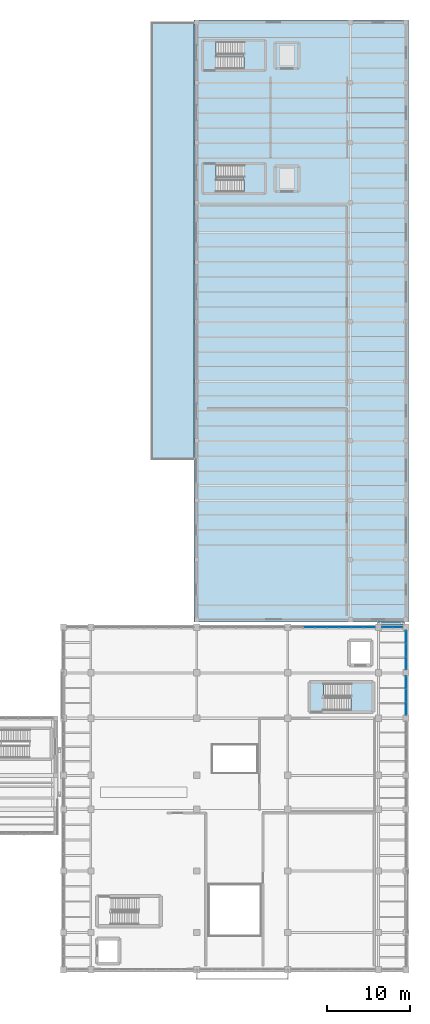
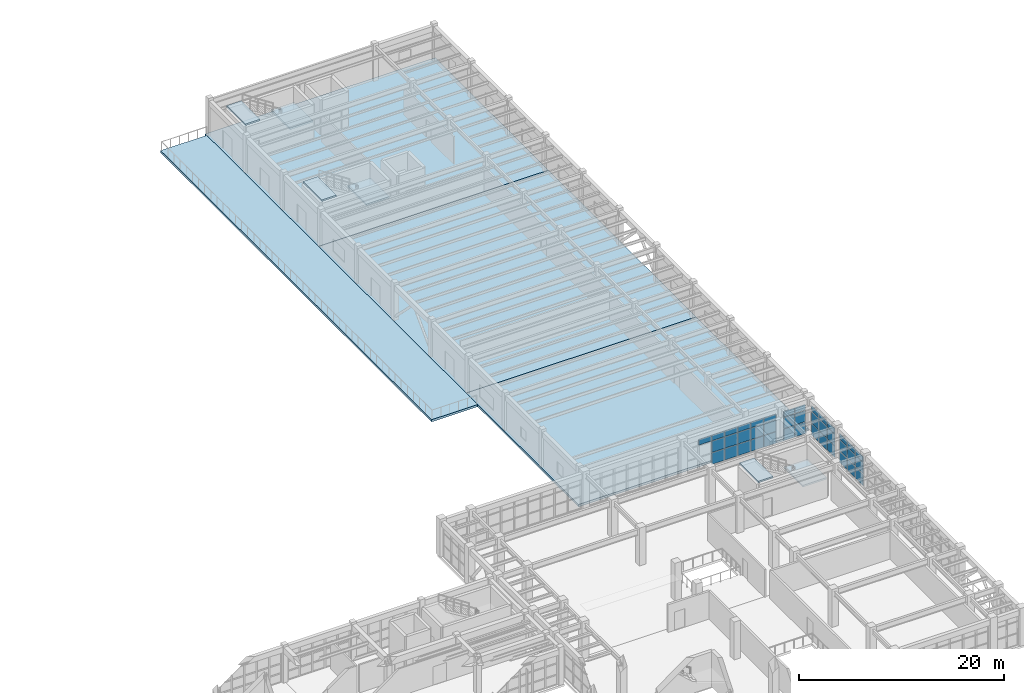
# One storey, part 62 of 85: 40 plates, 11 slabs, 7 elements without a shape of their own.
"""IFC4 building model written with IfcOpenShell, lengths in metres."""

import ifcopenshell
import ifcopenshell.guid

model = None  # the IFC model being written
_history = None  # IfcOwnerHistory: only IFC2X3 demands one
_inside = {}  # id of a spatial element -> (the spatial element, [elements in it])
_under = {}  # id of a project, library or spatial element -> (it, [spatial elements below it])
_declared = {}  # id of a project -> (the project, [libraries it declares])
_typed = {}  # id of a type object -> (the type object, [elements of that type])
_made_of = {}  # id of a material, layer set ... -> (it, [elements and type objects made of it])


def new_model(schema):
    """Start an empty IFC model of exactly this schema.

    Asked for "IFC4X3", IfcOpenShell would pick the latest addendum, in which some entities
    have other attributes; the version numbers below select the first issue.
    IFC2X3 requires an IfcOwnerHistory on every rooted entity: one is made here for all.
    """
    global model, _history
    if schema == "IFC4X3":
        model = ifcopenshell.file(schema_version=(4, 3, 0, 0))
    else:
        model = ifcopenshell.file(schema=schema)
    _inside.clear()
    _under.clear()
    _declared.clear()
    _typed.clear()
    _made_of.clear()
    _history = None
    if model.schema == "IFC2X3":
        org = make("IfcOrganization", Name="unknown")
        user = make(
            "IfcPersonAndOrganization",
            ThePerson=make("IfcPerson", FamilyName="unknown"),
            TheOrganization=org,
        )
        app = make(
            "IfcApplication",
            ApplicationDeveloper=org,
            Version="unknown",
            ApplicationFullName="unknown",
            ApplicationIdentifier="unknown",
        )
        _history = make(
            "IfcOwnerHistory",
            OwningUser=user,
            OwningApplication=app,
            ChangeAction="ADDED",
            CreationDate=0,
        )
    return model


def make(cls, **values):
    """One entity of the class cls with the attributes given. An attribute that is None is left unset."""
    return model.create_entity(
        cls, **{name: value for name, value in values.items() if value is not None}
    )


def rooted(cls, **values):
    """An entity with a GlobalId (a new one), such as an element, a storey or a relation."""
    return make(cls, GlobalId=ifcopenshell.guid.new(), OwnerHistory=_history, **values)


def si_unit(unit_type, name, prefix=None):
    """IfcSIUnit, for example si_unit("LENGTHUNIT", "METRE", prefix="MILLI")."""
    return make("IfcSIUnit", UnitType=unit_type, Prefix=prefix, Name=name)


def assignment(units):
    """IfcUnitAssignment: the units of a project."""
    return None if units is None else make("IfcUnitAssignment", Units=units)


def point(xyz):
    """IfcCartesianPoint."""
    return None if xyz is None else make("IfcCartesianPoint", Coordinates=xyz)


def direction(xyz):
    """IfcDirection."""
    return None if xyz is None else make("IfcDirection", DirectionRatios=xyz)


def frame(location, z_axis=None, x_axis=None):
    """IfcAxis2Placement3D, a coordinate frame: its origin and axes. An axis left out is left unset."""
    return make(
        "IfcAxis2Placement3D",
        Location=point(location),
        Axis=direction(z_axis),
        RefDirection=direction(x_axis),
    )


def frame_2d(location, x_axis=None):
    """IfcAxis2Placement2D, a coordinate frame in the plane: its origin and x axis."""
    return make(
        "IfcAxis2Placement2D", Location=point(location), RefDirection=direction(x_axis)
    )


def origin():
    """The frame at (0, 0, 0) with its axes left unset."""
    return frame((0.0, 0.0, 0.0))


def origin_2d():
    """The frame at (0, 0) in the plane with its x axis left unset."""
    return frame_2d((0.0, 0.0))


def place(relative_to, where):
    """IfcLocalPlacement: puts the frame where relative to a parent placement (None: the world)."""
    return make(
        "IfcLocalPlacement", PlacementRelTo=relative_to, RelativePlacement=where
    )


def context(
    kind, dimensions, precision=None, world=None, true_north=None, identifier=None
):
    """IfcGeometricRepresentationContext, for example the 3D "Model" context."""
    return make(
        "IfcGeometricRepresentationContext",
        ContextIdentifier=identifier,
        ContextType=kind,
        CoordinateSpaceDimension=dimensions,
        Precision=precision,
        WorldCoordinateSystem=world,
        TrueNorth=true_north,
    )


def subcontext(parent, identifier, kind, view, scale=None):
    """IfcGeometricRepresentationSubContext, for example "Body" below "Model"."""
    return make(
        "IfcGeometricRepresentationSubContext",
        ContextIdentifier=identifier,
        ContextType=kind,
        ParentContext=parent,
        TargetScale=scale,
        TargetView=view,
    )


def project(units=None, contexts=None):
    """IfcProject with its units and contexts."""
    return rooted(
        "IfcProject",
        Name="project",
        RepresentationContexts=contexts,
        UnitsInContext=assignment(units),
    )


def spatial(cls, under=None, at=None, **own):
    """A site, building, storey or space (cls), placed at a placement, below another one or the project."""
    s = rooted(cls, ObjectPlacement=at, **own)
    if under is not None:
        _under.setdefault(under.id(), (under, []))[1].append(s)
    return s


def polyline(points):
    """IfcPolyline through the points."""
    return make("IfcPolyline", Points=[point(p) for p in points])


def profile(cls, at=None, kind="AREA", **sizes):
    """A parametric profile (cls). Its sizes go by their IFC names, for example OverallWidth=200.0."""
    return make(cls, ProfileType=kind, Position=at, **sizes)


def rectangle(**sizes):
    """IfcRectangleProfileDef."""
    return profile("IfcRectangleProfileDef", **sizes)


def outline(outer, holes=None, kind="AREA"):
    """IfcArbitraryClosedProfileDef: a profile drawn as a closed curve; with holes, ...WithVoids."""
    if holes is None:
        return make("IfcArbitraryClosedProfileDef", ProfileType=kind, OuterCurve=outer)
    return make(
        "IfcArbitraryProfileDefWithVoids",
        ProfileType=kind,
        OuterCurve=outer,
        InnerCurves=holes,
    )


def extrude(swept, where, along, depth):
    """IfcExtrudedAreaSolid: the profile swept, set in the frame where, extruded along a direction by depth."""
    return make(
        "IfcExtrudedAreaSolid",
        SweptArea=swept,
        Position=where,
        ExtrudedDirection=direction(along),
        Depth=depth,
    )


def shape(context_of_items, identifier, shape_type, items):
    """IfcShapeRepresentation: the items that make up one representation, for example the "Body"."""
    return make(
        "IfcShapeRepresentation",
        ContextOfItems=context_of_items,
        RepresentationIdentifier=identifier,
        RepresentationType=shape_type,
        Items=items,
    )


def material(Name=None, Category=None):
    """IfcMaterial."""
    return make("IfcMaterial", Name=Name, Category=Category)


def layer(
    of_material, thickness, ventilated=None, Name=None, Category=None, Priority=None
):
    """IfcMaterialLayer: one layer of a wall or slab, of a material (None: an air gap)."""
    return make(
        "IfcMaterialLayer",
        Material=of_material,
        LayerThickness=thickness,
        IsVentilated=ventilated,
        Name=Name,
        Category=Category,
        Priority=Priority,
    )


def layer_set(layers, Name=None):
    """IfcMaterialLayerSet."""
    return make("IfcMaterialLayerSet", MaterialLayers=layers, LayerSetName=Name)


def made_of(thing, what):
    """Note that an element or type object is made of a material, layer set ...; save() writes the relation."""
    if what is not None:
        _made_of.setdefault(what.id(), (what, []))[1].append(thing)
    return thing


def type_object(cls, material=None, **own):
    """A type object (cls), such as IfcWallType, which elements share."""
    return made_of(rooted(cls, **own), material)


def element(
    cls,
    number,
    at=None,
    inside=None,
    cuts=None,
    type_object=None,
    material=None,
    context=None,
    identifier="Body",
    shape_type=None,
    held_by="IfcProductDefinitionShape",
    body=None,
    shapes=None,
    **own,
):
    """One element of the class cls, such as IfcWall. Its Tag is "e" and its number.

    at: its placement. inside: the storey or other place that contains it. cuts: it is an
    opening in that element (IfcRelVoidsElement). A single representation is given by context,
    identifier, shape_type and body (its items); several are given by shapes. held_by: the class
    of the entity that holds the representations. save() writes the other relations.
    """
    e = rooted(cls, Tag="e%d" % number, ObjectPlacement=at, **own)
    if body is not None:
        shapes = [shape(context, identifier, shape_type, body)]
    if shapes is not None:
        e.Representation = make(held_by, Representations=shapes)
    if inside is not None:
        _inside.setdefault(inside.id(), (inside, []))[1].append(e)
    if cuts is not None:
        rooted(
            "IfcRelVoidsElement", RelatingBuildingElement=cuts, RelatedOpeningElement=e
        )
    if type_object is not None:
        _typed.setdefault(type_object.id(), (type_object, []))[1].append(e)
    return made_of(e, material)


def aggregate(whole, parts):
    """IfcRelAggregates: a whole, such as a stair, and the parts it consists of."""
    return rooted("IfcRelAggregates", RelatingObject=whole, RelatedObjects=parts)


def save(model, path):
    """Write the relations noted so far, then the file.

    IfcRelAggregates (storeys below a building ...), IfcRelContainedInSpatialStructure (elements
    in a storey), IfcRelDefinesByType, IfcRelAssociatesMaterial and IfcRelDeclares: one each for
    every whole, place, type object, material and project.
    """
    for whole, parts in _under.values():
        aggregate(whole, parts)
    for where, things in _inside.values():
        rooted(
            "IfcRelContainedInSpatialStructure",
            RelatedElements=things,
            RelatingStructure=where,
        )
    for kind, things in _typed.values():
        rooted("IfcRelDefinesByType", RelatedObjects=things, RelatingType=kind)
    for what, things in _made_of.values():
        rooted("IfcRelAssociatesMaterial", RelatedObjects=things, RelatingMaterial=what)
    for by, libraries in _declared.values():
        rooted("IfcRelDeclares", RelatingContext=by, RelatedDefinitions=libraries)
    model.write(path)


model = new_model("IFC4")

# Units and contexts
model_context = context("Model", 3, precision=1e-05, world=origin(), true_north=direction((0.0, 1.0)))
body_context = subcontext(model_context, "Body", "Model", "MODEL_VIEW")
ifc_project = project(units=[si_unit("LENGTHUNIT", "METRE"), si_unit("AREAUNIT", "SQUARE_METRE"), si_unit("VOLUMEUNIT", "CUBIC_METRE"), si_unit("PLANEANGLEUNIT", "RADIAN"), si_unit("MASSUNIT", "GRAM", prefix="KILO")], contexts=[model_context])

# Site, building, storey
site_placement = place(None, origin())
site = spatial("IfcSite", under=ifc_project, at=site_placement, CompositionType="ELEMENT")
building_placement = place(site_placement, origin())
building = spatial("IfcBuilding", under=site, at=building_placement, Name="Candilejo Ridge Gondola Terminal", CompositionType="ELEMENT")
storey_placement = place(building_placement, frame((0.0, 0.0, 4.5)))
storey = spatial("IfcBuildingStorey", under=building, at=storey_placement, Name="L01", CompositionType="ELEMENT", Elevation=4.5)

# Curtain wall, plates
ifc_material_1 = material(Name="Anodised aluminium AA 6063-T6", Category="aluminium")
ifc_layer_1 = layer(ifc_material_1, 0.169921875)
ifc_layer_set_1 = layer_set([ifc_layer_1], Name="ARC-CW-HALL-3800-475X359")
curtain_wall_type_1 = type_object("IfcCurtainWallType", Name="ARC-CW-HALL-3800-475X359", PredefinedType="NOTDEFINED", material=ifc_layer_set_1)
curtain_wall_1_placement = place(storey_placement, origin())
curtain_wall_1 = element("IfcCurtainWall", 1, at=curtain_wall_1_placement, inside=storey, type_object=curtain_wall_type_1, Name="Curtain wall V4 L01-119", PredefinedType="NOTDEFINED")
ifc_material_2 = material(Name="Low-E laminated double glazing 6+12A+6+1.52PVB+6 mm", Category="glass")
ifc_layer_2 = layer(ifc_material_2, 0.028076171875)
ifc_layer_set_2 = layer_set([ifc_layer_2], Name="ARC-CW-GLAZ-PANEL")
plate_type = type_object("IfcPlateType", Name="ARC-CW-GLAZ-PANEL", PredefinedType="CURTAIN_PANEL", material=ifc_layer_set_2)
plate_1_placement = place(storey_placement, frame((175.300048828125, 37.8828125, 0.06005859375), z_axis=(0.0, 0.0, 1.0), x_axis=(0.0, 1.0, 0.0)))
plate_1 = element("IfcPlate", 2, at=plate_1_placement, type_object=plate_type, Name="CW-47X35 panel 1.1", PredefinedType="CURTAIN_PANEL", context=body_context, shape_type="SweptSolid", body=[
    extrude(rectangle(XDim=1.48583984375, YDim=0.028076171875, at=origin_2d()), origin(), (0.0, 0.0, 1.0), 1.360107421875),
])
plate_2_placement = place(storey_placement, frame((175.300048828125, 37.8828125, 1.47998046875), z_axis=(0.0, 0.0, 1.0), x_axis=(0.0, 1.0, 0.0)))
plate_2 = element("IfcPlate", 3, at=plate_2_placement, type_object=plate_type, Name="CW-47X35 panel 1.2", PredefinedType="CURTAIN_PANEL", context=body_context, shape_type="SweptSolid", body=[
    extrude(rectangle(XDim=1.48583984375, YDim=0.028076171875, at=origin_2d()), origin(), (0.0, 0.0, 1.0), 1.340087890625),
])
plate_3_placement = place(storey_placement, frame((175.300048828125, 37.8828125, 2.880126953125), z_axis=(0.0, 0.0, 1.0), x_axis=(0.0, 1.0, 0.0)))
plate_3 = element("IfcPlate", 4, at=plate_3_placement, type_object=plate_type, Name="CW-47X35 panel 1.3", PredefinedType="CURTAIN_PANEL", context=body_context, shape_type="SweptSolid", body=[
    extrude(rectangle(XDim=1.48583984375, YDim=0.028076171875, at=origin_2d()), origin(), (0.0, 0.0, 1.0), 0.64990234375),
])
plate_4_placement = place(storey_placement, frame((175.300048828125, 39.449951171875, 0.06005859375), z_axis=(0.0, 0.0, 1.0), x_axis=(0.0, 1.0, 0.0)))
plate_4 = element("IfcPlate", 5, at=plate_4_placement, type_object=plate_type, Name="CW-47X35 panel 2.1", PredefinedType="CURTAIN_PANEL", context=body_context, shape_type="SweptSolid", body=[
    extrude(rectangle(XDim=1.518310546875, YDim=0.028076171875, at=origin_2d()), origin(), (0.0, 0.0, 1.0), 1.360107421875),
])
plate_5_placement = place(storey_placement, frame((175.300048828125, 39.449951171875, 1.47998046875), z_axis=(0.0, 0.0, 1.0), x_axis=(0.0, 1.0, 0.0)))
plate_5 = element("IfcPlate", 6, at=plate_5_placement, type_object=plate_type, Name="CW-47X35 panel 2.2", PredefinedType="CURTAIN_PANEL", context=body_context, shape_type="SweptSolid", body=[
    extrude(rectangle(XDim=1.518310546875, YDim=0.028076171875, at=origin_2d()), origin(), (0.0, 0.0, 1.0), 1.340087890625),
])
plate_6_placement = place(storey_placement, frame((175.300048828125, 39.449951171875, 2.880126953125), z_axis=(0.0, 0.0, 1.0), x_axis=(0.0, 1.0, 0.0)))
plate_6 = element("IfcPlate", 7, at=plate_6_placement, type_object=plate_type, Name="CW-47X35 panel 2.3", PredefinedType="CURTAIN_PANEL", context=body_context, shape_type="SweptSolid", body=[
    extrude(rectangle(XDim=1.518310546875, YDim=0.028076171875, at=origin_2d()), origin(), (0.0, 0.0, 1.0), 0.64990234375),
])
plate_7_placement = place(storey_placement, frame((175.300048828125, 41.01708984375, 0.06005859375), z_axis=(0.0, 0.0, 1.0), x_axis=(0.0, 1.0, 0.0)))
plate_7 = element("IfcPlate", 8, at=plate_7_placement, type_object=plate_type, Name="CW-47X35 panel 3.1", PredefinedType="CURTAIN_PANEL", context=body_context, shape_type="SweptSolid", body=[
    extrude(rectangle(XDim=1.48583984375, YDim=0.028076171875, at=origin_2d()), origin(), (0.0, 0.0, 1.0), 1.360107421875),
])
plate_8_placement = place(storey_placement, frame((175.300048828125, 41.01708984375, 1.47998046875), z_axis=(0.0, 0.0, 1.0), x_axis=(0.0, 1.0, 0.0)))
plate_8 = element("IfcPlate", 9, at=plate_8_placement, type_object=plate_type, Name="CW-47X35 panel 3.2", PredefinedType="CURTAIN_PANEL", context=body_context, shape_type="SweptSolid", body=[
    extrude(rectangle(XDim=1.48583984375, YDim=0.028076171875, at=origin_2d()), origin(), (0.0, 0.0, 1.0), 1.340087890625),
])
plate_9_placement = place(storey_placement, frame((175.300048828125, 41.01708984375, 2.880126953125), z_axis=(0.0, 0.0, 1.0), x_axis=(0.0, 1.0, 0.0)))
plate_9 = element("IfcPlate", 10, at=plate_9_placement, type_object=plate_type, Name="CW-47X35 panel 3.3", PredefinedType="CURTAIN_PANEL", context=body_context, shape_type="SweptSolid", body=[
    extrude(rectangle(XDim=1.48583984375, YDim=0.028076171875, at=origin_2d()), origin(), (0.0, 0.0, 1.0), 0.64990234375),
])
aggregate(curtain_wall_1, [plate_1, plate_2, plate_3, plate_4, plate_5, plate_6, plate_7, plate_8, plate_9])

curtain_wall_2_placement = place(storey_placement, origin())
curtain_wall_2 = element("IfcCurtainWall", 11, at=curtain_wall_2_placement, inside=storey, type_object=curtain_wall_type_1, Name="Curtain wall V4 L01-121", PredefinedType="NOTDEFINED")
plate_10_placement = place(storey_placement, frame((175.300048828125, 43.3828125, 0.06005859375), z_axis=(0.0, 0.0, 1.0), x_axis=(0.0, 1.0, 0.0)))
plate_10 = element("IfcPlate", 12, at=plate_10_placement, type_object=plate_type, Name="CW-47X35 panel 1.1", PredefinedType="CURTAIN_PANEL", context=body_context, shape_type="SweptSolid", body=[
    extrude(rectangle(XDim=1.48583984375, YDim=0.028076171875, at=origin_2d()), origin(), (0.0, 0.0, 1.0), 1.360107421875),
])
plate_11_placement = place(storey_placement, frame((175.300048828125, 43.3828125, 1.47998046875), z_axis=(0.0, 0.0, 1.0), x_axis=(0.0, 1.0, 0.0)))
plate_11 = element("IfcPlate", 13, at=plate_11_placement, type_object=plate_type, Name="CW-47X35 panel 1.2", PredefinedType="CURTAIN_PANEL", context=body_context, shape_type="SweptSolid", body=[
    extrude(rectangle(XDim=1.48583984375, YDim=0.028076171875, at=origin_2d()), origin(), (0.0, 0.0, 1.0), 1.340087890625),
])
plate_12_placement = place(storey_placement, frame((175.300048828125, 43.3828125, 2.880126953125), z_axis=(0.0, 0.0, 1.0), x_axis=(0.0, 1.0, 0.0)))
plate_12 = element("IfcPlate", 14, at=plate_12_placement, type_object=plate_type, Name="CW-47X35 panel 1.3", PredefinedType="CURTAIN_PANEL", context=body_context, shape_type="SweptSolid", body=[
    extrude(rectangle(XDim=1.48583984375, YDim=0.028076171875, at=origin_2d()), origin(), (0.0, 0.0, 1.0), 0.64990234375),
])
plate_13_placement = place(storey_placement, frame((175.300048828125, 44.949951171875, 0.06005859375), z_axis=(0.0, 0.0, 1.0), x_axis=(0.0, 1.0, 0.0)))
plate_13 = element("IfcPlate", 15, at=plate_13_placement, type_object=plate_type, Name="CW-47X35 panel 2.1", PredefinedType="CURTAIN_PANEL", context=body_context, shape_type="SweptSolid", body=[
    extrude(rectangle(XDim=1.518310546875, YDim=0.028076171875, at=origin_2d()), origin(), (0.0, 0.0, 1.0), 1.360107421875),
])
plate_14_placement = place(storey_placement, frame((175.300048828125, 44.949951171875, 1.47998046875), z_axis=(0.0, 0.0, 1.0), x_axis=(0.0, 1.0, 0.0)))
plate_14 = element("IfcPlate", 16, at=plate_14_placement, type_object=plate_type, Name="CW-47X35 panel 2.2", PredefinedType="CURTAIN_PANEL", context=body_context, shape_type="SweptSolid", body=[
    extrude(rectangle(XDim=1.518310546875, YDim=0.028076171875, at=origin_2d()), origin(), (0.0, 0.0, 1.0), 1.340087890625),
])
plate_15_placement = place(storey_placement, frame((175.300048828125, 44.949951171875, 2.880126953125), z_axis=(0.0, 0.0, 1.0), x_axis=(0.0, 1.0, 0.0)))
plate_15 = element("IfcPlate", 17, at=plate_15_placement, type_object=plate_type, Name="CW-47X35 panel 2.3", PredefinedType="CURTAIN_PANEL", context=body_context, shape_type="SweptSolid", body=[
    extrude(rectangle(XDim=1.518310546875, YDim=0.028076171875, at=origin_2d()), origin(), (0.0, 0.0, 1.0), 0.64990234375),
])
plate_16_placement = place(storey_placement, frame((175.300048828125, 46.51708984375, 0.06005859375), z_axis=(0.0, 0.0, 1.0), x_axis=(0.0, 1.0, 0.0)))
plate_16 = element("IfcPlate", 18, at=plate_16_placement, type_object=plate_type, Name="CW-47X35 panel 3.1", PredefinedType="CURTAIN_PANEL", context=body_context, shape_type="SweptSolid", body=[
    extrude(rectangle(XDim=1.48583984375, YDim=0.028076171875, at=origin_2d()), origin(), (0.0, 0.0, 1.0), 1.360107421875),
])
plate_17_placement = place(storey_placement, frame((175.300048828125, 46.51708984375, 1.47998046875), z_axis=(0.0, 0.0, 1.0), x_axis=(0.0, 1.0, 0.0)))
plate_17 = element("IfcPlate", 19, at=plate_17_placement, type_object=plate_type, Name="CW-47X35 panel 3.2", PredefinedType="CURTAIN_PANEL", context=body_context, shape_type="SweptSolid", body=[
    extrude(rectangle(XDim=1.48583984375, YDim=0.028076171875, at=origin_2d()), origin(), (0.0, 0.0, 1.0), 1.340087890625),
])
plate_18_placement = place(storey_placement, frame((175.300048828125, 46.51708984375, 2.880126953125), z_axis=(0.0, 0.0, 1.0), x_axis=(0.0, 1.0, 0.0)))
plate_18 = element("IfcPlate", 20, at=plate_18_placement, type_object=plate_type, Name="CW-47X35 panel 3.3", PredefinedType="CURTAIN_PANEL", context=body_context, shape_type="SweptSolid", body=[
    extrude(rectangle(XDim=1.48583984375, YDim=0.028076171875, at=origin_2d()), origin(), (0.0, 0.0, 1.0), 0.64990234375),
])
aggregate(curtain_wall_2, [plate_10, plate_11, plate_12, plate_13, plate_14, plate_15, plate_16, plate_17, plate_18])

ifc_material_3 = material(Name="Anodised aluminium AA 6063-T6", Category="aluminium")
ifc_layer_3 = layer(ifc_material_3, 0.169921875)
ifc_layer_set_3 = layer_set([ifc_layer_3], Name="ARC-CW-HALL-3800-1025X359")
curtain_wall_type_2 = type_object("IfcCurtainWallType", Name="ARC-CW-HALL-3800-1025X359", PredefinedType="NOTDEFINED", material=ifc_layer_set_3)
curtain_wall_3_placement = place(storey_placement, origin())
curtain_wall_3 = element("IfcCurtainWall", 21, at=curtain_wall_3_placement, inside=storey, type_object=curtain_wall_type_2, Name="Curtain wall V4 L01-129", PredefinedType="NOTDEFINED")
plate_19_placement = place(storey_placement, frame((163.571533203125, 47.699951171875, 2.880126953125), z_axis=(0.0, 0.0, 1.0), x_axis=(1.0, 0.0, 0.0)))
plate_19 = element("IfcPlate", 22, at=plate_19_placement, type_object=plate_type, Name="CW-102X35 panel 2.3", PredefinedType="CURTAIN_PANEL", context=body_context, shape_type="SweptSolid", body=[
    extrude(rectangle(XDim=1.399169921875, YDim=0.028076171875, at=origin_2d()), origin(), (0.0, 0.0, 1.0), 0.64990234375),
])
plate_20_placement = place(storey_placement, frame((165.03564453125, 47.699951171875, 0.06005859375), z_axis=(0.0, 0.0, 1.0), x_axis=(1.0, 0.0, 0.0)))
plate_20 = element("IfcPlate", 23, at=plate_20_placement, type_object=plate_type, Name="CW-102X35 panel 3.1", PredefinedType="CURTAIN_PANEL", context=body_context, shape_type="SweptSolid", body=[
    extrude(rectangle(XDim=1.399169921875, YDim=0.028076171875, at=origin_2d()), origin(), (0.0, 0.0, 1.0), 1.360107421875),
])
plate_21_placement = place(storey_placement, frame((165.03564453125, 47.699951171875, 1.47998046875), z_axis=(0.0, 0.0, 1.0), x_axis=(1.0, 0.0, 0.0)))
plate_21 = element("IfcPlate", 24, at=plate_21_placement, type_object=plate_type, Name="CW-102X35 panel 3.2", PredefinedType="CURTAIN_PANEL", context=body_context, shape_type="SweptSolid", body=[
    extrude(rectangle(XDim=1.399169921875, YDim=0.028076171875, at=origin_2d()), origin(), (0.0, 0.0, 1.0), 1.340087890625),
])
plate_22_placement = place(storey_placement, frame((165.03564453125, 47.699951171875, 2.880126953125), z_axis=(0.0, 0.0, 1.0), x_axis=(1.0, 0.0, 0.0)))
plate_22 = element("IfcPlate", 25, at=plate_22_placement, type_object=plate_type, Name="CW-102X35 panel 3.3", PredefinedType="CURTAIN_PANEL", context=body_context, shape_type="SweptSolid", body=[
    extrude(rectangle(XDim=1.399169921875, YDim=0.028076171875, at=origin_2d()), origin(), (0.0, 0.0, 1.0), 0.64990234375),
])
plate_23_placement = place(storey_placement, frame((166.5, 47.699951171875, 0.06005859375), z_axis=(0.0, 0.0, 1.0), x_axis=(1.0, 0.0, 0.0)))
plate_23 = element("IfcPlate", 26, at=plate_23_placement, type_object=plate_type, Name="CW-102X35 panel 4.1", PredefinedType="CURTAIN_PANEL", context=body_context, shape_type="SweptSolid", body=[
    extrude(rectangle(XDim=1.399169921875, YDim=0.028076171875, at=origin_2d()), origin(), (0.0, 0.0, 1.0), 1.360107421875),
])
plate_24_placement = place(storey_placement, frame((166.5, 47.699951171875, 1.47998046875), z_axis=(0.0, 0.0, 1.0), x_axis=(1.0, 0.0, 0.0)))
plate_24 = element("IfcPlate", 27, at=plate_24_placement, type_object=plate_type, Name="CW-102X35 panel 4.2", PredefinedType="CURTAIN_PANEL", context=body_context, shape_type="SweptSolid", body=[
    extrude(rectangle(XDim=1.399169921875, YDim=0.028076171875, at=origin_2d()), origin(), (0.0, 0.0, 1.0), 1.340087890625),
])
plate_25_placement = place(storey_placement, frame((166.5, 47.699951171875, 2.880126953125), z_axis=(0.0, 0.0, 1.0), x_axis=(1.0, 0.0, 0.0)))
plate_25 = element("IfcPlate", 28, at=plate_25_placement, type_object=plate_type, Name="CW-102X35 panel 4.3", PredefinedType="CURTAIN_PANEL", context=body_context, shape_type="SweptSolid", body=[
    extrude(rectangle(XDim=1.399169921875, YDim=0.028076171875, at=origin_2d()), origin(), (0.0, 0.0, 1.0), 0.64990234375),
])
plate_26_placement = place(storey_placement, frame((167.96435546875, 47.699951171875, 0.06005859375), z_axis=(0.0, 0.0, 1.0), x_axis=(1.0, 0.0, 0.0)))
plate_26 = element("IfcPlate", 29, at=plate_26_placement, type_object=plate_type, Name="CW-102X35 panel 5.1", PredefinedType="CURTAIN_PANEL", context=body_context, shape_type="SweptSolid", body=[
    extrude(rectangle(XDim=1.399169921875, YDim=0.028076171875, at=origin_2d()), origin(), (0.0, 0.0, 1.0), 1.360107421875),
])
plate_27_placement = place(storey_placement, frame((167.96435546875, 47.699951171875, 1.47998046875), z_axis=(0.0, 0.0, 1.0), x_axis=(1.0, 0.0, 0.0)))
plate_27 = element("IfcPlate", 30, at=plate_27_placement, type_object=plate_type, Name="CW-102X35 panel 5.2", PredefinedType="CURTAIN_PANEL", context=body_context, shape_type="SweptSolid", body=[
    extrude(rectangle(XDim=1.399169921875, YDim=0.028076171875, at=origin_2d()), origin(), (0.0, 0.0, 1.0), 1.340087890625),
])
plate_28_placement = place(storey_placement, frame((167.96435546875, 47.699951171875, 2.880126953125), z_axis=(0.0, 0.0, 1.0), x_axis=(1.0, 0.0, 0.0)))
plate_28 = element("IfcPlate", 31, at=plate_28_placement, type_object=plate_type, Name="CW-102X35 panel 5.3", PredefinedType="CURTAIN_PANEL", context=body_context, shape_type="SweptSolid", body=[
    extrude(rectangle(XDim=1.399169921875, YDim=0.028076171875, at=origin_2d()), origin(), (0.0, 0.0, 1.0), 0.64990234375),
])
plate_29_placement = place(storey_placement, frame((169.428466796875, 47.699951171875, 0.06005859375), z_axis=(0.0, 0.0, 1.0), x_axis=(1.0, 0.0, 0.0)))
plate_29 = element("IfcPlate", 32, at=plate_29_placement, type_object=plate_type, Name="CW-102X35 panel 6.1", PredefinedType="CURTAIN_PANEL", context=body_context, shape_type="SweptSolid", body=[
    extrude(rectangle(XDim=1.399169921875, YDim=0.028076171875, at=origin_2d()), origin(), (0.0, 0.0, 1.0), 1.360107421875),
])
plate_30_placement = place(storey_placement, frame((169.428466796875, 47.699951171875, 1.47998046875), z_axis=(0.0, 0.0, 1.0), x_axis=(1.0, 0.0, 0.0)))
plate_30 = element("IfcPlate", 33, at=plate_30_placement, type_object=plate_type, Name="CW-102X35 panel 6.2", PredefinedType="CURTAIN_PANEL", context=body_context, shape_type="SweptSolid", body=[
    extrude(rectangle(XDim=1.399169921875, YDim=0.028076171875, at=origin_2d()), origin(), (0.0, 0.0, 1.0), 1.340087890625),
])
plate_31_placement = place(storey_placement, frame((169.428466796875, 47.699951171875, 2.880126953125), z_axis=(0.0, 0.0, 1.0), x_axis=(1.0, 0.0, 0.0)))
plate_31 = element("IfcPlate", 34, at=plate_31_placement, type_object=plate_type, Name="CW-102X35 panel 6.3", PredefinedType="CURTAIN_PANEL", context=body_context, shape_type="SweptSolid", body=[
    extrude(rectangle(XDim=1.399169921875, YDim=0.028076171875, at=origin_2d()), origin(), (0.0, 0.0, 1.0), 0.64990234375),
])
plate_32_placement = place(storey_placement, frame((170.876708984375, 47.699951171875, 0.06005859375), z_axis=(0.0, 0.0, 1.0), x_axis=(1.0, 0.0, 0.0)))
plate_32 = element("IfcPlate", 35, at=plate_32_placement, type_object=plate_type, Name="CW-102X35 panel 7.1", PredefinedType="CURTAIN_PANEL", context=body_context, shape_type="SweptSolid", body=[
    extrude(rectangle(XDim=1.36669921875, YDim=0.028076171875, at=origin_2d()), origin(), (0.0, 0.0, 1.0), 1.360107421875),
])
plate_33_placement = place(storey_placement, frame((170.876708984375, 47.699951171875, 1.47998046875), z_axis=(0.0, 0.0, 1.0), x_axis=(1.0, 0.0, 0.0)))
plate_33 = element("IfcPlate", 36, at=plate_33_placement, type_object=plate_type, Name="CW-102X35 panel 7.2", PredefinedType="CURTAIN_PANEL", context=body_context, shape_type="SweptSolid", body=[
    extrude(rectangle(XDim=1.36669921875, YDim=0.028076171875, at=origin_2d()), origin(), (0.0, 0.0, 1.0), 1.340087890625),
])
plate_34_placement = place(storey_placement, frame((170.876708984375, 47.699951171875, 2.880126953125), z_axis=(0.0, 0.0, 1.0), x_axis=(1.0, 0.0, 0.0)))
plate_34 = element("IfcPlate", 37, at=plate_34_placement, type_object=plate_type, Name="CW-102X35 panel 7.3", PredefinedType="CURTAIN_PANEL", context=body_context, shape_type="SweptSolid", body=[
    extrude(rectangle(XDim=1.36669921875, YDim=0.028076171875, at=origin_2d()), origin(), (0.0, 0.0, 1.0), 0.64990234375),
])
aggregate(curtain_wall_3, [plate_19, plate_20, plate_21, plate_22, plate_23, plate_24, plate_25, plate_26, plate_27, plate_28, plate_29, plate_30, plate_31, plate_32, plate_33, plate_34])

ifc_material_4 = material(Name="Anodised aluminium AA 6063-T6", Category="aluminium")
ifc_layer_4 = layer(ifc_material_4, 0.169921875)
ifc_layer_set_4 = layer_set([ifc_layer_4], Name="ARC-CW-HALL-3800-255X359")
curtain_wall_type_3 = type_object("IfcCurtainWallType", Name="ARC-CW-HALL-3800-255X359", PredefinedType="NOTDEFINED", material=ifc_layer_set_4)
curtain_wall_4_placement = place(storey_placement, origin())
curtain_wall_4 = element("IfcCurtainWall", 38, at=curtain_wall_4_placement, inside=storey, type_object=curtain_wall_type_3, Name="Curtain wall V4 L01-131", PredefinedType="NOTDEFINED")
plate_35_placement = place(storey_placement, frame((173.02880859375, 47.699951171875, 0.06005859375), z_axis=(0.0, 0.0, 1.0), x_axis=(1.0, 0.0, 0.0)))
plate_35 = element("IfcPlate", 39, at=plate_35_placement, type_object=plate_type, Name="CW-25X35 panel 1.1", PredefinedType="CURTAIN_PANEL", context=body_context, shape_type="SweptSolid", body=[
    extrude(rectangle(XDim=1.177490234375, YDim=0.028076171875, at=origin_2d()), origin(), (0.0, 0.0, 1.0), 1.360107421875),
])
plate_36_placement = place(storey_placement, frame((173.02880859375, 47.699951171875, 1.47998046875), z_axis=(0.0, 0.0, 1.0), x_axis=(1.0, 0.0, 0.0)))
plate_36 = element("IfcPlate", 40, at=plate_36_placement, type_object=plate_type, Name="CW-25X35 panel 1.2", PredefinedType="CURTAIN_PANEL", context=body_context, shape_type="SweptSolid", body=[
    extrude(rectangle(XDim=1.177490234375, YDim=0.028076171875, at=origin_2d()), origin(), (0.0, 0.0, 1.0), 1.340087890625),
])
plate_37_placement = place(storey_placement, frame((173.02880859375, 47.699951171875, 2.880126953125), z_axis=(0.0, 0.0, 1.0), x_axis=(1.0, 0.0, 0.0)))
plate_37 = element("IfcPlate", 41, at=plate_37_placement, type_object=plate_type, Name="CW-25X35 panel 1.3", PredefinedType="CURTAIN_PANEL", context=body_context, shape_type="SweptSolid", body=[
    extrude(rectangle(XDim=1.177490234375, YDim=0.028076171875, at=origin_2d()), origin(), (0.0, 0.0, 1.0), 0.64990234375),
])
plate_38_placement = place(storey_placement, frame((174.271240234375, 47.699951171875, 0.06005859375), z_axis=(0.0, 0.0, 1.0), x_axis=(1.0, 0.0, 0.0)))
plate_38 = element("IfcPlate", 42, at=plate_38_placement, type_object=plate_type, Name="CW-25X35 panel 2.1", PredefinedType="CURTAIN_PANEL", context=body_context, shape_type="SweptSolid", body=[
    extrude(rectangle(XDim=1.177490234375, YDim=0.028076171875, at=origin_2d()), origin(), (0.0, 0.0, 1.0), 1.360107421875),
])
plate_39_placement = place(storey_placement, frame((174.271240234375, 47.699951171875, 1.47998046875), z_axis=(0.0, 0.0, 1.0), x_axis=(1.0, 0.0, 0.0)))
plate_39 = element("IfcPlate", 43, at=plate_39_placement, type_object=plate_type, Name="CW-25X35 panel 2.2", PredefinedType="CURTAIN_PANEL", context=body_context, shape_type="SweptSolid", body=[
    extrude(rectangle(XDim=1.177490234375, YDim=0.028076171875, at=origin_2d()), origin(), (0.0, 0.0, 1.0), 1.340087890625),
])
plate_40_placement = place(storey_placement, frame((174.271240234375, 47.699951171875, 2.880126953125), z_axis=(0.0, 0.0, 1.0), x_axis=(1.0, 0.0, 0.0)))
plate_40 = element("IfcPlate", 44, at=plate_40_placement, type_object=plate_type, Name="CW-25X35 panel 2.3", PredefinedType="CURTAIN_PANEL", context=body_context, shape_type="SweptSolid", body=[
    extrude(rectangle(XDim=1.177490234375, YDim=0.028076171875, at=origin_2d()), origin(), (0.0, 0.0, 1.0), 0.64990234375),
])
aggregate(curtain_wall_4, [plate_35, plate_36, plate_37, plate_38, plate_39, plate_40])

# Slabs
ifc_material_5 = material(Name="Concrete f'c 28 MPa (C28/35)", Category="concrete")
ifc_layer_5 = layer(ifc_material_5, 0.260009765625)
ifc_layer_set_5 = layer_set([ifc_layer_5], Name="STR-ARCADE-SLAB-260")
slab_type_1 = type_object("IfcSlabType", Name="STR-ARCADE-SLAB-260", PredefinedType="BASESLAB", material=ifc_layer_set_5)
slab_1_placement = place(storey_placement, frame((0.0, 0.0, -0.260009765625)))
element("IfcSlab", 45, at=slab_1_placement, inside=storey, type_object=slab_type_1, Name="Slab SLB-V5-L01-BENCH", PredefinedType="BASESLAB", context=body_context, shape_type="SweptSolid", body=[
    extrude(outline(polyline([(144.5, 68.0), (149.699951171875, 68.0), (149.699951171875, 120.85009765625), (144.5, 120.85009765625), (144.5, 68.0)])), origin(), (0.0, 0.0, 1.0), 0.260009765625),
])
ifc_material_6 = material(Name="Concrete f'c 28 MPa (C28/35)", Category="concrete")
ifc_layer_6 = layer(ifc_material_6, 0.27001953125)
ifc_layer_set_6 = layer_set([ifc_layer_6], Name="STR-BASE-SLAB-270")
slab_type_2 = type_object("IfcSlabType", Name="STR-BASE-SLAB-270", PredefinedType="BASESLAB", material=ifc_layer_set_6)
slab_2_placement = place(storey_placement, frame((0.0, 0.0, -0.27001953125)))
element("IfcSlab", 46, at=slab_2_placement, inside=storey, type_object=slab_type_2, Name="Slab SLB-V5-L01-S", PredefinedType="BASESLAB", context=body_context, shape_type="SweptSolid", body=[
    extrude(outline(polyline([(149.699951171875, 48.35009765625), (175.60009765625, 48.35009765625), (175.60009765625, 70.25), (149.699951171875, 70.25), (149.699951171875, 48.35009765625)])), origin(), (0.0, 0.0, 1.0), 0.27001953125),
])
slab_3_placement = place(storey_placement, frame((0.0, 0.0, -0.27001953125)))
element("IfcSlab", 47, at=slab_3_placement, inside=storey, type_object=slab_type_2, Name="Slab SLB-V5-L01-M", PredefinedType="BASESLAB", context=body_context, shape_type="SweptSolid", body=[
    extrude(outline(polyline([(149.699951171875, 70.25), (175.60009765625, 70.25), (175.60009765625, 99.050048828125), (149.699951171875, 99.050048828125), (149.699951171875, 70.25)])), origin(), (0.0, 0.0, 1.0), 0.27001953125),
])
slab_4_placement = place(storey_placement, frame((0.0, 0.0, -0.27001953125)))
element("IfcSlab", 48, at=slab_4_placement, inside=storey, type_object=slab_type_2, Name="Slab SLB-V5-L01-N", PredefinedType="BASESLAB", context=body_context, shape_type="SweptSolid", body=[
    extrude(outline(polyline([(149.699951171875, 99.050048828125), (175.60009765625, 99.050048828125), (175.60009765625, 121.14990234375), (149.699951171875, 121.14990234375), (149.699951171875, 99.050048828125)])), origin(), (0.0, 0.0, 1.0), 0.27001953125),
])
ifc_material_7 = material(Name="Concrete f'c 35 MPa (C35/45)", Category="concrete")
ifc_layer_7 = layer(ifc_material_7, 0.219970703125)
ifc_layer_set_7 = layer_set([ifc_layer_7], Name="STR-BRIDGE-SLAB-220")
slab_type_3 = type_object("IfcSlabType", Name="STR-BRIDGE-SLAB-220", PredefinedType="FLOOR", material=ifc_layer_set_7)
slab_5_placement = place(storey_placement, frame((0.0, 0.0, -0.219970703125)))
element("IfcSlab", 49, at=slab_5_placement, inside=storey, type_object=slab_type_3, Name="Slab SLB-LB-SJ4-L01", PredefinedType="FLOOR", context=body_context, shape_type="SweptSolid", body=[
    extrude(outline(polyline([(171.800048828125, 48.0), (175.199951171875, 48.0), (175.199951171875, 48.35009765625), (171.800048828125, 48.35009765625), (171.800048828125, 48.0)])), origin(), (0.0, 0.0, 1.0), 0.219970703125),
])

# Stair, slabs
ifc_material_8 = material(Name="Concrete f'c 35 MPa (C35/45)", Category="concrete")
stair_type = type_object("IfcStairType", Name="STR-STAIR-1500-4500", PredefinedType="HALF_TURN_STAIR", material=ifc_material_8)
stair_1_placement = place(storey_placement, origin())
stair_1 = element("IfcStair", 50, at=stair_1_placement, inside=storey, type_object=stair_type, Name="Enclosed fire exit stair ST-V4B-L01", PredefinedType="HALF_TURN_STAIR")
ifc_material_9 = material(Name="Concrete f'c 35 MPa (C35/45)", Category="concrete")
ifc_layer_8 = layer(ifc_material_9, 0.199951171875)
ifc_layer_set_8 = layer_set([ifc_layer_8], Name="STR-STAIR-LANDING-200")
slab_type_4 = type_object("IfcSlabType", Name="STR-STAIR-LANDING-200", PredefinedType="LANDING", material=ifc_layer_set_8)
slab_6_placement = place(storey_placement, frame((0.0, 0.0, 2.050048828125)))
slab_6 = element("IfcSlab", 51, at=slab_6_placement, type_object=slab_type_4, Name="Stair half-landing ST-V4B-LND-02", PredefinedType="LANDING", context=body_context, shape_type="SweptSolid", body=[
    extrude(outline(polyline([(168.669921875, 37.449951171875), (171.35009765625, 37.449951171875), (171.35009765625, 41.10009765625), (168.669921875, 41.10009765625), (168.669921875, 37.449951171875)])), origin(), (0.0, 0.0, 1.0), 0.199951171875),
])
slab_7_placement = place(storey_placement, frame((0.0, 0.0, 4.300048828125)))
slab_7 = element("IfcSlab", 52, at=slab_7_placement, type_object=slab_type_4, Name="Stair floor landing ST-V4B-L01-ARR-L02", PredefinedType="LANDING", context=body_context, shape_type="SweptSolid", body=[
    extrude(outline(polyline([(163.64990234375, 37.449951171875), (165.31005859375, 37.449951171875), (165.31005859375, 41.10009765625), (163.64990234375, 41.10009765625), (163.64990234375, 37.449951171875)])), origin(), (0.0, 0.0, 1.0), 0.199951171875),
])
aggregate(stair_1, [slab_6, slab_7])

stair_2_placement = place(storey_placement, origin())
stair_2 = element("IfcStair", 53, at=stair_2_placement, inside=storey, type_object=stair_type, Name="Enclosed fire exit stair ST-V5A-L01", PredefinedType="HALF_TURN_STAIR")
slab_8_placement = place(storey_placement, frame((0.0, 0.0, 2.050048828125)))
slab_8 = element("IfcSlab", 54, at=slab_8_placement, type_object=slab_type_4, Name="Stair half-landing ST-V5A-LND-01", PredefinedType="LANDING", context=body_context, shape_type="SweptSolid", body=[
    extrude(outline(polyline([(155.719970703125, 100.14990234375), (158.300048828125, 100.14990234375), (158.300048828125, 103.800048828125), (155.719970703125, 103.800048828125), (155.719970703125, 100.14990234375)])), origin(), (0.0, 0.0, 1.0), 0.199951171875),
])
slab_9_placement = place(storey_placement, frame((0.0, 0.0, 4.300048828125)))
slab_9 = element("IfcSlab", 55, at=slab_9_placement, type_object=slab_type_4, Name="Stair floor landing ST-V5A-L01-ARR-L02", PredefinedType="LANDING", context=body_context, shape_type="SweptSolid", body=[
    extrude(outline(polyline([(150.699951171875, 100.14990234375), (152.360107421875, 100.14990234375), (152.360107421875, 103.800048828125), (150.699951171875, 103.800048828125), (150.699951171875, 100.14990234375)])), origin(), (0.0, 0.0, 1.0), 0.199951171875),
])
aggregate(stair_2, [slab_8, slab_9])

stair_3_placement = place(storey_placement, origin())
stair_3 = element("IfcStair", 56, at=stair_3_placement, inside=storey, type_object=stair_type, Name="Enclosed fire exit stair ST-V5B-L01", PredefinedType="HALF_TURN_STAIR")
slab_10_placement = place(storey_placement, frame((0.0, 0.0, 2.050048828125)))
slab_10 = element("IfcSlab", 57, at=slab_10_placement, type_object=slab_type_4, Name="Stair half-landing ST-V5B-LND-01", PredefinedType="LANDING", context=body_context, shape_type="SweptSolid", body=[
    extrude(outline(polyline([(155.719970703125, 115.050048828125), (158.300048828125, 115.050048828125), (158.300048828125, 118.699951171875), (155.719970703125, 118.699951171875), (155.719970703125, 115.050048828125)])), origin(), (0.0, 0.0, 1.0), 0.199951171875),
])
slab_11_placement = place(storey_placement, frame((0.0, 0.0, 4.300048828125)))
slab_11 = element("IfcSlab", 58, at=slab_11_placement, type_object=slab_type_4, Name="Stair floor landing ST-V5B-L01-ARR-L02", PredefinedType="LANDING", context=body_context, shape_type="SweptSolid", body=[
    extrude(outline(polyline([(150.699951171875, 115.050048828125), (152.360107421875, 115.050048828125), (152.360107421875, 118.699951171875), (150.699951171875, 118.699951171875), (150.699951171875, 115.050048828125)])), origin(), (0.0, 0.0, 1.0), 0.199951171875),
])
aggregate(stair_3, [slab_10, slab_11])

save(model, "model.ifc")
